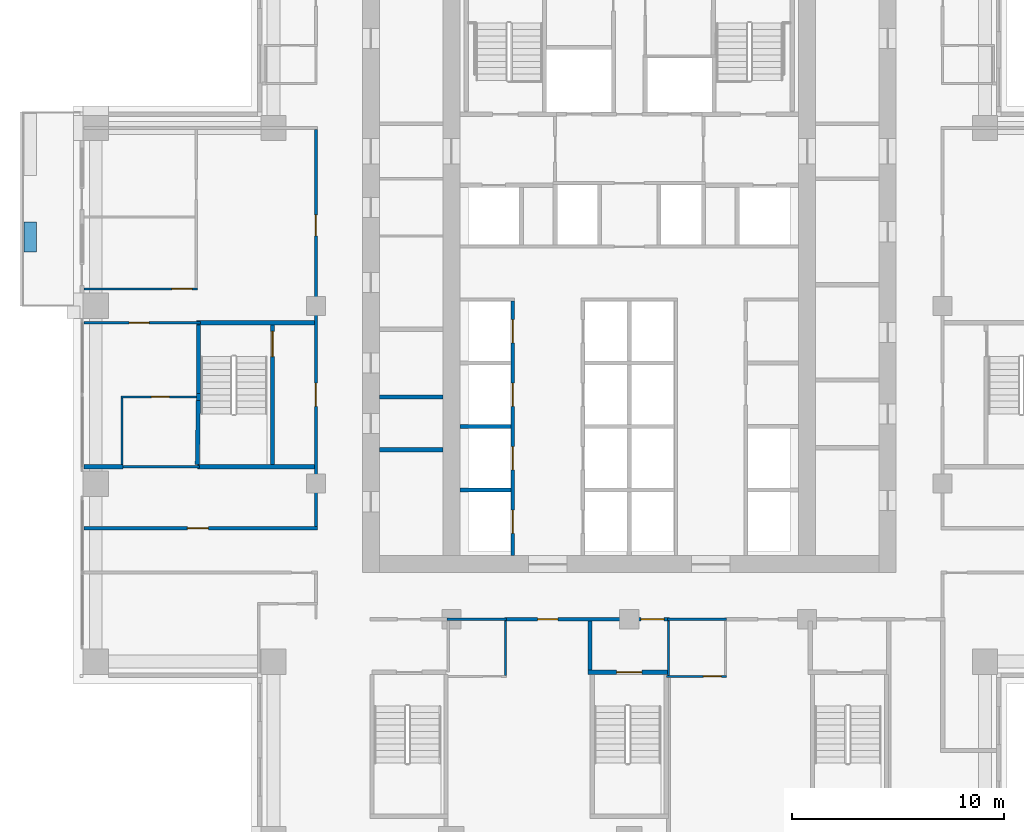
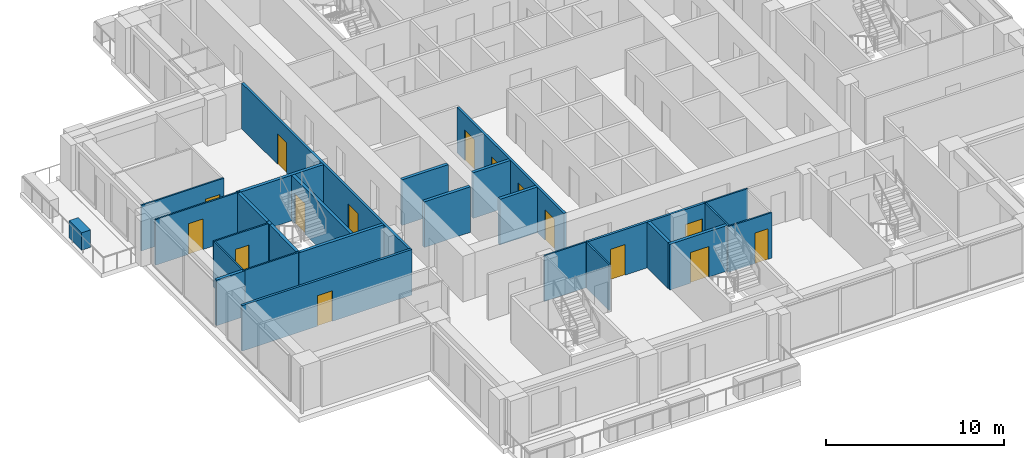
# One storey, part 7 of 16: 28 walls, 15 doors, 15 openings.
"""IFC4 building model written with IfcOpenShell, lengths in metres."""

from ifc_helpers import new_model, si_unit, direction, frame, frame_2d, origin, place, context, subcontext, project, spatial, rectangle, extrude, material, layer, layer_set, type_object, element, fill, save


model = new_model("IFC4")

# Units and contexts
model_context = context("Model", 3, precision=1e-05, world=origin(), true_north=direction((0.0, 1.0)))
body_context = subcontext(model_context, "Body", "Model", "MODEL_VIEW")
ifc_project = project(units=[si_unit("LENGTHUNIT", "METRE"), si_unit("AREAUNIT", "SQUARE_METRE"), si_unit("VOLUMEUNIT", "CUBIC_METRE"), si_unit("PLANEANGLEUNIT", "RADIAN"), si_unit("MASSUNIT", "GRAM", prefix="KILO")], contexts=[model_context])

# Site, building, storey
site_placement = place(None, origin())
site = spatial("IfcSite", under=ifc_project, at=site_placement, CompositionType="ELEMENT")
building_placement = place(site_placement, origin())
building = spatial("IfcBuilding", under=site, at=building_placement, Name="Vermilion Ogive Tower", CompositionType="ELEMENT")
storey_placement = place(building_placement, frame((0.0, 0.0, 114.89990234375)))
storey = spatial("IfcBuildingStorey", under=building, at=storey_placement, Name="L29", CompositionType="ELEMENT", Elevation=114.89990234375)

# Wall, opening, door
ifc_material_1 = material(Name="Gypsum board partition on steel studs", Category="steel")
ifc_layer_1 = layer(ifc_material_1, 0.10009765625)
ifc_layer_set_1 = layer_set([ifc_layer_1], Name="Partition 100 bath")
wall_type_1 = type_object("IfcWallType", Name="Partition 100 bath", PredefinedType="PARTITIONING", material=ifc_layer_set_1)
wall_1_placement = place(storey_placement, frame((1.75, -13.300048828125, 0.0), z_axis=(0.0, 0.0, 1.0), x_axis=(1.0, 0.0, 0.0)))
wall_1 = element("IfcWall", 1, at=wall_1_placement, inside=storey, type_object=wall_type_1, Name="L29-W-W005", PredefinedType="PARTITIONING", context=body_context, shape_type="SweptSolid", body=[
    extrude(rectangle(XDim=2.847900390625, YDim=0.10009765625, at=frame_2d((1.423828125, 0.0))), origin(), (0.0, 0.0, 1.0), 3.130126953125),
])
opening_1_placement = place(wall_1_placement, frame((1.75, 0.0, 0.0)))
opening_1 = element("IfcOpeningElement", 2, at=opening_1_placement, cuts=wall_1, Name="Opening D2G5013", PredefinedType="OPENING", context=body_context, shape_type="SweptSolid", body=[
    extrude(rectangle(XDim=0.85009765625, YDim=2.10009765625, at=frame_2d((0.425048828125, 1.050048828125))), frame((0.0, 0.06005859375, 0.0), z_axis=(0.0, -1.0, 0.0), x_axis=(1.0, 0.0, 0.0)), (0.0, 0.0, 1.0), 0.1201171875),
])
ifc_material_2 = material(Name="Timber door leaf", Category="wood")
door_type_1 = type_object("IfcDoorType", Name="Bath door 850 x 2100 FD30", OperationType="SINGLE_SWING_LEFT", PredefinedType="DOOR", material=ifc_material_2)
door_1_placement = place(opening_1_placement, origin())
door_1 = element("IfcDoor", 3, at=door_1_placement, inside=storey, type_object=door_type_1, Name="L29-D-D013", OperationType="SINGLE_SWING_RIGHT", OverallHeight=2.10009765625, OverallWidth=0.85009765625, PredefinedType="DOOR", context=body_context, shape_type="SweptSolid", body=[
    extrude(rectangle(XDim=0.85009765625, YDim=2.10009765625, at=frame_2d((0.425048828125, 1.050048828125))), frame((0.0, 0.02490234375, 0.0), z_axis=(0.0, -1.0, 0.0), x_axis=(1.0, 0.0, 0.0)), (0.0, 0.0, 1.0), 0.050048828125),
])
fill(opening_1, door_1)

# Walls
for number, where, z_axis, x_axis, name in (
    (4, (-8.60009765625, -10.60009765625, 0.0), (0.0, 0.0, 1.0), (1.0, 0.0, 0.0), "L29-W-W010"),
    (5, (1.800048828125, -10.60009765625, 0.0), (0.0, 0.0, 1.0), (1.0, 0.0, 0.0), "L29-W-W012"),
):
    element("IfcWall", number, at=place(storey_placement, frame(where, z_axis=z_axis, x_axis=x_axis)), inside=storey, type_object=wall_type_1, Name=name, PredefinedType="PARTITIONING", context=body_context, shape_type="SweptSolid", body=[
        extrude(rectangle(XDim=2.800048828125, YDim=0.10009765625, at=frame_2d((1.39990234375, 0.0))), origin(), (0.0, 0.0, 1.0), 3.130126953125),
    ])
wall_2_placement = place(storey_placement, frame((-24.0, -3.39990234375, 0.0), z_axis=(0.0, 0.0, 1.0), x_axis=(1.0, 0.0, 0.0)))
element("IfcWall", 6, at=wall_2_placement, inside=storey, type_object=wall_type_1, Name="L29-W-W020", PredefinedType="PARTITIONING", context=body_context, shape_type="SweptSolid", body=[
    extrude(rectangle(XDim=3.699951171875, YDim=0.10009765625, at=frame_2d((1.85009765625, 0.0))), origin(), (0.0, 0.0, 1.0), 3.130126953125),
])

# Wall, opening, door
wall_3_placement = place(storey_placement, frame((-24.0, -0.10009765625, 0.0), z_axis=(0.0, 0.0, 1.0), x_axis=(1.0, 0.0, 0.0)))
wall_3 = element("IfcWall", 7, at=wall_3_placement, inside=storey, type_object=wall_type_1, Name="L29-W-W026", PredefinedType="PARTITIONING", context=body_context, shape_type="SweptSolid", body=[
    extrude(rectangle(XDim=3.550048828125, YDim=0.10009765625, at=frame_2d((1.77490234375, 0.0))), origin(), (0.0, 0.0, 1.0), 3.130126953125),
])
opening_2_placement = place(wall_3_placement, frame((1.425048828125, 0.0, 0.0)))
opening_2 = element("IfcOpeningElement", 8, at=opening_2_placement, cuts=wall_3, Name="Opening D2G5007", PredefinedType="OPENING", context=body_context, shape_type="SweptSolid", body=[
    extrude(rectangle(XDim=0.85009765625, YDim=2.10009765625, at=frame_2d((0.425048828125, 1.050048828125))), frame((0.0, 0.06005859375, 0.0), z_axis=(0.0, -1.0, 0.0), x_axis=(1.0, 0.0, 0.0)), (0.0, 0.0, 1.0), 0.1201171875),
])
door_2_placement = place(opening_2_placement, origin())
door_2 = element("IfcDoor", 9, at=door_2_placement, inside=storey, type_object=door_type_1, Name="L29-D-D007", OperationType="SINGLE_SWING_RIGHT", OverallHeight=2.10009765625, OverallWidth=0.85009765625, PredefinedType="DOOR", context=body_context, shape_type="SweptSolid", body=[
    extrude(rectangle(XDim=0.85009765625, YDim=2.10009765625, at=frame_2d((0.425048828125, 1.050048828125))), frame((0.0, 0.02490234375, 0.0), z_axis=(0.0, -1.0, 0.0), x_axis=(1.0, 0.0, 0.0)), (0.0, 0.0, 1.0), 0.050048828125),
])
fill(opening_2, door_2)

# Walls
wall_4_placement = place(storey_placement, frame((-23.949951171875, -3.300048828125, 0.0), z_axis=(0.0, 0.0, 1.0), x_axis=(0.0, 1.0, 0.0)))
element("IfcWall", 10, at=wall_4_placement, inside=storey, type_object=wall_type_1, Name="L29-W-W043", PredefinedType="PARTITIONING", context=body_context, shape_type="SweptSolid", body=[
    extrude(rectangle(XDim=3.150146484375, YDim=0.10009765625, at=frame_2d((1.5751953125, 0.0))), origin(), (0.0, 0.0, 1.0), 3.130126953125),
])
wall_5_placement = place(storey_placement, frame((-5.85009765625, -13.248046875, 0.0), z_axis=(0.0, 0.0, 1.0), x_axis=(0.0, 1.0, 0.0)))
element("IfcWall", 11, at=wall_5_placement, inside=storey, type_object=wall_type_1, Name="L29-W-W056", PredefinedType="PARTITIONING", context=body_context, shape_type="SweptSolid", body=[
    extrude(rectangle(XDim=2.572998046875, YDim=0.10009765625, at=frame_2d((1.28662109375, 0.0))), origin(), (0.0, 0.0, 1.0), 3.130126953125),
])
wall_6_placement = place(storey_placement, frame((1.85009765625, -13.25, 0.0), z_axis=(0.0, 0.0, 1.0), x_axis=(0.0, 1.0, 0.0)))
element("IfcWall", 12, at=wall_6_placement, inside=storey, type_object=wall_type_1, Name="L29-W-W061", PredefinedType="PARTITIONING", context=body_context, shape_type="SweptSolid", body=[
    extrude(rectangle(XDim=2.574951171875, YDim=0.10009765625, at=frame_2d((1.28759765625, 0.0))), origin(), (0.0, 0.0, 1.0), 3.130126953125),
])

# Wall, opening, door
ifc_material_3 = material(Name="Gypsum board partition on steel studs", Category="steel")
ifc_layer_2 = layer(ifc_material_3, 0.10009765625)
ifc_layer_set_2 = layer_set([ifc_layer_2], Name="Partition 100 inner")
wall_type_2 = type_object("IfcWallType", Name="Partition 100 inner", PredefinedType="PARTITIONING", material=ifc_layer_set_2)
wall_7_placement = place(storey_placement, frame((-25.75, 3.39990234375, 0.0), z_axis=(0.0, 0.0, 1.0), x_axis=(1.0, 0.0, 0.0)))
wall_7 = element("IfcWall", 13, at=wall_7_placement, inside=storey, type_object=wall_type_2, Name="L29-W-W027", PredefinedType="PARTITIONING", context=body_context, shape_type="SweptSolid", body=[
    extrude(rectangle(XDim=5.5, YDim=0.10009765625, at=frame_2d((2.75, 0.0))), origin(), (0.0, 0.0, 1.0), 3.130126953125),
])
opening_3_placement = place(wall_7_placement, frame((2.125, 0.0, 0.0)))
opening_3 = element("IfcOpeningElement", 14, at=opening_3_placement, cuts=wall_7, Name="Opening D2G5006", PredefinedType="OPENING", context=body_context, shape_type="SweptSolid", body=[
    extrude(rectangle(XDim=0.949951171875, YDim=2.10009765625, at=frame_2d((0.47509765625, 1.050048828125))), frame((0.0, 0.06005859375, 0.0), z_axis=(0.0, -1.0, 0.0), x_axis=(1.0, 0.0, 0.0)), (0.0, 0.0, 1.0), 0.1201171875),
])
ifc_material_4 = material(Name="Timber door leaf", Category="wood")
door_type_2 = type_object("IfcDoorType", Name="Inner door 950 x 2100 FD30", OperationType="SINGLE_SWING_LEFT", PredefinedType="DOOR", material=ifc_material_4)
door_3_placement = place(opening_3_placement, origin())
door_3 = element("IfcDoor", 15, at=door_3_placement, inside=storey, type_object=door_type_2, Name="L29-D-D006", OperationType="SINGLE_SWING_LEFT", OverallHeight=2.10009765625, OverallWidth=0.949951171875, PredefinedType="DOOR", context=body_context, shape_type="SweptSolid", body=[
    extrude(rectangle(XDim=0.949951171875, YDim=2.10009765625, at=frame_2d((0.47509765625, 1.050048828125))), frame((0.0, 0.02490234375, 0.0), z_axis=(0.0, -1.0, 0.0), x_axis=(1.0, 0.0, 0.0)), (0.0, 0.0, 1.0), 0.050048828125),
])
fill(opening_3, door_3)

wall_8_placement = place(storey_placement, frame((-25.75, 5.0, 0.0), z_axis=(0.0, 0.0, 1.0), x_axis=(1.0, 0.0, 0.0)))
wall_8 = element("IfcWall", 16, at=wall_8_placement, inside=storey, type_object=wall_type_2, Name="L29-W-W031", PredefinedType="PARTITIONING", context=body_context, shape_type="SweptSolid", body=[
    extrude(rectangle(XDim=5.35009765625, YDim=0.10009765625, at=frame_2d((2.675048828125, 0.0))), origin(), (0.0, 0.0, 1.0), 3.130126953125),
])
opening_4_placement = place(wall_8_placement, frame((4.14990234375, 0.0, 0.0)))
opening_4 = element("IfcOpeningElement", 17, at=opening_4_placement, cuts=wall_8, Name="Opening D2G5003", PredefinedType="OPENING", context=body_context, shape_type="SweptSolid", body=[
    extrude(rectangle(XDim=0.949951171875, YDim=2.10009765625, at=frame_2d((0.47509765625, 1.050048828125))), frame((0.0, 0.06005859375, 0.0), z_axis=(0.0, -1.0, 0.0), x_axis=(1.0, 0.0, 0.0)), (0.0, 0.0, 1.0), 0.1201171875),
])
door_4_placement = place(opening_4_placement, origin())
door_4 = element("IfcDoor", 18, at=door_4_placement, inside=storey, type_object=door_type_2, Name="L29-D-D003", OperationType="SINGLE_SWING_LEFT", OverallHeight=2.10009765625, OverallWidth=0.949951171875, PredefinedType="DOOR", context=body_context, shape_type="SweptSolid", body=[
    extrude(rectangle(XDim=0.949951171875, YDim=2.10009765625, at=frame_2d((0.47509765625, 1.050048828125))), frame((0.0, 0.02490234375, 0.0), z_axis=(0.0, -1.0, 0.0), x_axis=(1.0, 0.0, 0.0)), (0.0, 0.0, 1.0), 0.050048828125),
])
fill(opening_4, door_4)

# Wall, openings, doors
ifc_material_5 = material(Name="Gypsum board partition on steel studs", Category="steel")
ifc_layer_3 = layer(ifc_material_5, 0.14990234375)
ifc_layer_set_3 = layer_set([ifc_layer_3], Name="Partition 150 corridor")
wall_type_3 = type_object("IfcWallType", Name="Partition 150 corridor", PredefinedType="PARTITIONING", material=ifc_layer_set_3)
wall_9_placement = place(storey_placement, frame((-5.89990234375, -10.60009765625, 0.0), z_axis=(0.0, 0.0, 1.0), x_axis=(1.0, 0.0, 0.0)))
wall_9 = element("IfcWall", 19, at=wall_9_placement, inside=storey, type_object=wall_type_3, Name="L29-W-W011", PredefinedType="PARTITIONING", context=body_context, shape_type="SweptSolid", body=[
    extrude(rectangle(XDim=7.7998046875, YDim=0.14990234375, at=frame_2d((3.89990234375, 0.0))), origin(), (0.0, 0.0, 1.0), 3.130126953125),
])
opening_5_placement = place(wall_9_placement, frame((1.574951171875, 0.0, 0.0)))
opening_5 = element("IfcOpeningElement", 20, at=opening_5_placement, cuts=wall_9, Name="Opening D2G5010", PredefinedType="OPENING", context=body_context, shape_type="SweptSolid", body=[
    extrude(rectangle(XDim=0.949951171875, YDim=2.10009765625, at=frame_2d((0.47509765625, 1.050048828125))), frame((0.0, 0.0849609375, 0.0), z_axis=(0.0, -1.0, 0.0), x_axis=(1.0, 0.0, 0.0)), (0.0, 0.0, 1.0), 0.169921875),
])
opening_6_placement = place(wall_9_placement, frame((6.449951171875, 0.0, 0.0)))
opening_6 = element("IfcOpeningElement", 21, at=opening_6_placement, cuts=wall_9, Name="Opening D2G5025", PredefinedType="OPENING", context=body_context, shape_type="SweptSolid", body=[
    extrude(rectangle(XDim=1.10009765625, YDim=2.10009765625, at=frame_2d((0.550048828125, 1.050048828125))), frame((0.0, 0.0849609375, 0.0), z_axis=(0.0, -1.0, 0.0), x_axis=(1.0, 0.0, 0.0)), (0.0, 0.0, 1.0), 0.169921875),
])
ifc_material_6 = material(Name="Timber door leaf", Category="wood")
door_type_3 = type_object("IfcDoorType", Name="Stair door 1100 x 2100 FD60S", OperationType="SINGLE_SWING_LEFT", PredefinedType="DOOR", material=ifc_material_6)
door_5_placement = place(opening_6_placement, origin())
door_5 = element("IfcDoor", 22, at=door_5_placement, inside=storey, type_object=door_type_3, Name="L29-D-D025", OperationType="SINGLE_SWING_LEFT", OverallHeight=2.10009765625, OverallWidth=1.10009765625, PredefinedType="DOOR", context=body_context, shape_type="SweptSolid", body=[
    extrude(rectangle(XDim=1.10009765625, YDim=2.10009765625, at=frame_2d((0.550048828125, 1.050048828125))), frame((0.0, 0.02490234375, 0.0), z_axis=(0.0, -1.0, 0.0), x_axis=(1.0, 0.0, 0.0)), (0.0, 0.0, 1.0), 0.050048828125),
])
fill(opening_6, door_5)
ifc_material_7 = material(Name="Timber door leaf", Category="wood")
door_type_4 = type_object("IfcDoorType", Name="Unit door 950 x 2100 FD30S", OperationType="SINGLE_SWING_LEFT", PredefinedType="DOOR", material=ifc_material_7)
door_6_placement = place(opening_5_placement, origin())
door_6 = element("IfcDoor", 23, at=door_6_placement, inside=storey, type_object=door_type_4, Name="L29-D-D010", OperationType="SINGLE_SWING_LEFT", OverallHeight=2.10009765625, OverallWidth=0.949951171875, PredefinedType="DOOR", context=body_context, shape_type="SweptSolid", body=[
    extrude(rectangle(XDim=0.949951171875, YDim=2.10009765625, at=frame_2d((0.47509765625, 1.050048828125))), frame((0.0, 0.02490234375, 0.0), z_axis=(0.0, -1.0, 0.0), x_axis=(1.0, 0.0, 0.0)), (0.0, 0.0, 1.0), 0.050048828125),
])
fill(opening_5, door_6)

# Wall, opening, door
wall_10_placement = place(storey_placement, frame((-25.75, -6.300048828125, 0.0), z_axis=(0.0, 0.0, 1.0), x_axis=(1.0, 0.0, 0.0)))
wall_10 = element("IfcWall", 24, at=wall_10_placement, inside=storey, type_object=wall_type_3, Name="L29-W-W017", PredefinedType="PARTITIONING", context=body_context, shape_type="SweptSolid", body=[
    extrude(rectangle(XDim=11.02490234375, YDim=0.14990234375, at=frame_2d((5.512451171875, 0.0))), origin(), (0.0, 0.0, 1.0), 3.130126953125),
])
opening_7_placement = place(wall_10_placement, frame((4.875, 0.0, 0.0)))
opening_7 = element("IfcOpeningElement", 25, at=opening_7_placement, cuts=wall_10, Name="Opening D2G5034", PredefinedType="OPENING", context=body_context, shape_type="SweptSolid", body=[
    extrude(rectangle(XDim=1.0, YDim=2.10009765625, at=frame_2d((0.5, 1.050048828125))), frame((0.0, 0.0849609375, 0.0), z_axis=(0.0, -1.0, 0.0), x_axis=(1.0, 0.0, 0.0)), (0.0, 0.0, 1.0), 0.169921875),
])
ifc_material_8 = material(Name="Timber door leaf", Category="wood")
door_type_5 = type_object("IfcDoorType", Name="Unit door 1000 x 2100 FD30S", OperationType="SINGLE_SWING_LEFT", PredefinedType="DOOR", material=ifc_material_8)
door_7_placement = place(opening_7_placement, origin())
door_7 = element("IfcDoor", 26, at=door_7_placement, inside=storey, type_object=door_type_5, Name="L29-D-D034", OperationType="SINGLE_SWING_RIGHT", OverallHeight=2.10009765625, OverallWidth=1.0, PredefinedType="DOOR", context=body_context, shape_type="SweptSolid", body=[
    extrude(rectangle(XDim=1.0, YDim=2.10009765625, at=frame_2d((0.5, 1.050048828125))), frame((0.0, 0.02490234375, 0.0), z_axis=(0.0, -1.0, 0.0), x_axis=(1.0, 0.0, 0.0)), (0.0, 0.0, 1.0), 0.050048828125),
])
fill(opening_7, door_7)

# Wall, openings, doors
wall_11_placement = place(storey_placement, frame((-14.800048828125, -6.22509765625, 0.0), z_axis=(0.0, 0.0, 1.0), x_axis=(0.0, 1.0, 0.0)))
wall_11 = element("IfcWall", 27, at=wall_11_placement, inside=storey, type_object=wall_type_3, Name="L29-W-W052", PredefinedType="PARTITIONING", context=body_context, shape_type="SweptSolid", body=[
    extrude(rectangle(XDim=18.75, YDim=0.14990234375, at=frame_2d((9.375, 0.0))), origin(), (0.0, 0.0, 1.0), 3.130126953125),
])
opening_8_placement = place(wall_11_placement, frame((13.72509765625, 0.0, 0.0)))
opening_8 = element("IfcOpeningElement", 28, at=opening_8_placement, cuts=wall_11, Name="Opening D2G5005", PredefinedType="OPENING", context=body_context, shape_type="SweptSolid", body=[
    extrude(rectangle(XDim=1.0, YDim=2.10009765625, at=frame_2d((0.5, 1.050048828125))), frame((0.0, 0.0849609375, 0.0), z_axis=(0.0, -1.0, 0.0), x_axis=(1.0, 0.0, 0.0)), (0.0, 0.0, 1.0), 0.169921875),
])
opening_9_placement = place(wall_11_placement, frame((5.675048828125, 0.0, 0.0)))
opening_9 = element("IfcOpeningElement", 29, at=opening_9_placement, cuts=wall_11, Name="Opening D2G5031", PredefinedType="OPENING", context=body_context, shape_type="SweptSolid", body=[
    extrude(rectangle(XDim=1.10009765625, YDim=2.10009765625, at=frame_2d((0.550048828125, 1.050048828125))), frame((0.0, 0.0849609375, 0.0), z_axis=(0.0, -1.0, 0.0), x_axis=(1.0, 0.0, 0.0)), (0.0, 0.0, 1.0), 0.169921875),
])
door_8_placement = place(opening_9_placement, origin())
door_8 = element("IfcDoor", 30, at=door_8_placement, inside=storey, type_object=door_type_3, Name="L29-D-D031", OperationType="SINGLE_SWING_RIGHT", OverallHeight=2.10009765625, OverallWidth=1.10009765625, PredefinedType="DOOR", context=body_context, shape_type="SweptSolid", body=[
    extrude(rectangle(XDim=1.10009765625, YDim=2.10009765625, at=frame_2d((0.550048828125, 1.050048828125))), frame((0.0, 0.02490234375, 0.0), z_axis=(0.0, -1.0, 0.0), x_axis=(1.0, 0.0, 0.0)), (0.0, 0.0, 1.0), 0.050048828125),
])
fill(opening_9, door_8)
door_9_placement = place(opening_8_placement, origin())
door_9 = element("IfcDoor", 31, at=door_9_placement, inside=storey, type_object=door_type_5, Name="L29-D-D005", OperationType="SINGLE_SWING_LEFT", OverallHeight=2.10009765625, OverallWidth=1.0, PredefinedType="DOOR", context=body_context, shape_type="SweptSolid", body=[
    extrude(rectangle(XDim=1.0, YDim=2.10009765625, at=frame_2d((0.5, 1.050048828125))), frame((0.0, 0.02490234375, 0.0), z_axis=(0.0, -1.0, 0.0), x_axis=(1.0, 0.0, 0.0)), (0.0, 0.0, 1.0), 0.050048828125),
])
fill(opening_8, door_9)

wall_12_placement = place(storey_placement, frame((-5.5, -7.59912109375, 0.0), z_axis=(0.0, 0.0, 1.0), x_axis=(0.0, 1.0, 0.0)))
wall_12 = element("IfcWall", 32, at=wall_12_placement, inside=storey, type_object=wall_type_3, Name="L29-CK-W-W022", PredefinedType="PARTITIONING", context=body_context, shape_type="SweptSolid", body=[
    extrude(rectangle(XDim=12.024169921875, YDim=0.14990234375, at=frame_2d((6.01220703125, 0.0))), origin(), (0.0, 0.0, 1.0), 3.130126953125),
])
opening_10_placement = place(wall_12_placement, frame((1.049072265625, 0.0, 0.0)))
opening_10 = element("IfcOpeningElement", 33, at=opening_10_placement, cuts=wall_12, Name="Opening DAA241", PredefinedType="OPENING", context=body_context, shape_type="SweptSolid", body=[
    extrude(rectangle(XDim=1.10009765625, YDim=2.10009765625, at=frame_2d((0.550048828125, 1.050048828125))), frame((0.0, 0.0849609375, 0.0), z_axis=(0.0, -1.0, 0.0), x_axis=(1.0, 0.0, 0.0)), (0.0, 0.0, 1.0), 0.169921875),
])
opening_11_placement = place(wall_12_placement, frame((4.049072265625, 0.0, 0.0)))
opening_11 = element("IfcOpeningElement", 34, at=opening_11_placement, cuts=wall_12, Name="Opening DAA244", PredefinedType="OPENING", context=body_context, shape_type="SweptSolid", body=[
    extrude(rectangle(XDim=1.10009765625, YDim=2.10009765625, at=frame_2d((0.550048828125, 1.050048828125))), frame((0.0, 0.0849609375, 0.0), z_axis=(0.0, -1.0, 0.0), x_axis=(1.0, 0.0, 0.0)), (0.0, 0.0, 1.0), 0.169921875),
])
opening_12_placement = place(wall_12_placement, frame((7.049072265625, 0.0, 0.0)))
opening_12 = element("IfcOpeningElement", 35, at=opening_12_placement, cuts=wall_12, Name="Opening DAA245", PredefinedType="OPENING", context=body_context, shape_type="SweptSolid", body=[
    extrude(rectangle(XDim=1.10009765625, YDim=2.10009765625, at=frame_2d((0.550048828125, 1.050048828125))), frame((0.0, 0.0849609375, 0.0), z_axis=(0.0, -1.0, 0.0), x_axis=(1.0, 0.0, 0.0)), (0.0, 0.0, 1.0), 0.169921875),
])
opening_13_placement = place(wall_12_placement, frame((10.049072265625, 0.0, 0.0)))
opening_13 = element("IfcOpeningElement", 36, at=opening_13_placement, cuts=wall_12, Name="Opening DAA246", PredefinedType="OPENING", context=body_context, shape_type="SweptSolid", body=[
    extrude(rectangle(XDim=1.10009765625, YDim=2.10009765625, at=frame_2d((0.550048828125, 1.050048828125))), frame((0.0, 0.0849609375, 0.0), z_axis=(0.0, -1.0, 0.0), x_axis=(1.0, 0.0, 0.0)), (0.0, 0.0, 1.0), 0.169921875),
])
ifc_material_9 = material(Name="Stainless steel", Category="steel")
door_type_6 = type_object("IfcDoorType", Name="Lift landing door 1100 x 2100", OperationType="SLIDING_TO_LEFT", PredefinedType="DOOR", material=ifc_material_9)
door_10_placement = place(opening_10_placement, origin())
door_10 = element("IfcDoor", 37, at=door_10_placement, inside=storey, type_object=door_type_6, Name="L29-CK-D-D001", OperationType="SLIDING_TO_LEFT", OverallHeight=2.10009765625, OverallWidth=1.10009765625, PredefinedType="DOOR", context=body_context, shape_type="SweptSolid", body=[
    extrude(rectangle(XDim=1.10009765625, YDim=2.10009765625, at=frame_2d((0.550048828125, 1.050048828125))), frame((0.0, 0.02490234375, 0.0), z_axis=(0.0, -1.0, 0.0), x_axis=(1.0, 0.0, 0.0)), (0.0, 0.0, 1.0), 0.050048828125),
])
fill(opening_10, door_10)
door_11_placement = place(opening_11_placement, origin())
door_11 = element("IfcDoor", 38, at=door_11_placement, inside=storey, type_object=door_type_6, Name="L29-CK-D-D002", OperationType="SLIDING_TO_LEFT", OverallHeight=2.10009765625, OverallWidth=1.10009765625, PredefinedType="DOOR", context=body_context, shape_type="SweptSolid", body=[
    extrude(rectangle(XDim=1.10009765625, YDim=2.10009765625, at=frame_2d((0.550048828125, 1.050048828125))), frame((0.0, 0.02490234375, 0.0), z_axis=(0.0, -1.0, 0.0), x_axis=(1.0, 0.0, 0.0)), (0.0, 0.0, 1.0), 0.050048828125),
])
fill(opening_11, door_11)
door_12_placement = place(opening_12_placement, origin())
door_12 = element("IfcDoor", 39, at=door_12_placement, inside=storey, type_object=door_type_6, Name="L29-CK-D-D003", OperationType="SLIDING_TO_LEFT", OverallHeight=2.10009765625, OverallWidth=1.10009765625, PredefinedType="DOOR", context=body_context, shape_type="SweptSolid", body=[
    extrude(rectangle(XDim=1.10009765625, YDim=2.10009765625, at=frame_2d((0.550048828125, 1.050048828125))), frame((0.0, 0.02490234375, 0.0), z_axis=(0.0, -1.0, 0.0), x_axis=(1.0, 0.0, 0.0)), (0.0, 0.0, 1.0), 0.050048828125),
])
fill(opening_12, door_12)
door_13_placement = place(opening_13_placement, origin())
door_13 = element("IfcDoor", 40, at=door_13_placement, inside=storey, type_object=door_type_6, Name="L29-CK-D-D004", OperationType="SLIDING_TO_LEFT", OverallHeight=2.10009765625, OverallWidth=1.10009765625, PredefinedType="DOOR", context=body_context, shape_type="SweptSolid", body=[
    extrude(rectangle(XDim=1.10009765625, YDim=2.10009765625, at=frame_2d((0.550048828125, 1.050048828125))), frame((0.0, 0.02490234375, 0.0), z_axis=(0.0, -1.0, 0.0), x_axis=(1.0, 0.0, 0.0)), (0.0, 0.0, 1.0), 0.050048828125),
])
fill(opening_13, door_13)

# Walls
ifc_material_10 = material(Name="Gypsum board partition on steel studs", Category="steel")
ifc_layer_4 = layer(ifc_material_10, 0.199951171875)
ifc_layer_set_4 = layer_set([ifc_layer_4], Name="Partition 200 party")
wall_type_4 = type_object("IfcWallType", Name="Partition 200 party", PredefinedType="PARTITIONING", material=ifc_layer_set_4)
wall_13_placement = place(storey_placement, frame((-25.75, -3.39990234375, 0.0), z_axis=(0.0, 0.0, 1.0), x_axis=(1.0, 0.0, 0.0)))
element("IfcWall", 41, at=wall_13_placement, inside=storey, type_object=wall_type_4, Name="L29-W-W019", PredefinedType="PARTITIONING", context=body_context, shape_type="SweptSolid", body=[
    extrude(rectangle(XDim=1.85009765625, YDim=0.199951171875, at=frame_2d((0.925048828125, 0.0))), origin(), (0.0, 0.0, 1.0), 3.130126953125),
])
wall_14_placement = place(storey_placement, frame((-1.85009765625, -12.998046875, 0.0), z_axis=(0.0, 0.0, 1.0), x_axis=(0.0, 1.0, 0.0)))
element("IfcWall", 42, at=wall_14_placement, inside=storey, type_object=wall_type_4, Name="L29-W-W057", PredefinedType="PARTITIONING", context=body_context, shape_type="SweptSolid", body=[
    extrude(rectangle(XDim=2.322998046875, YDim=0.199951171875, at=frame_2d((1.16162109375, 0.0))), origin(), (0.0, 0.0, 1.0), 3.130126953125),
])
for number, where, z_axis, x_axis, name in (
    (43, (-7.9990234375, -4.5, 0.0), (0.0, 0.0, 1.0), (1.0, 0.0, 0.0), "L29-CK-W-W001"),
    (44, (-7.9990234375, -1.5, 0.0), (0.0, 0.0, 1.0), (1.0, 0.0, 0.0), "L29-CK-W-W004"),
):
    element("IfcWall", number, at=place(storey_placement, frame(where, z_axis=z_axis, x_axis=x_axis)), inside=storey, type_object=wall_type_4, Name=name, PredefinedType="PARTITIONING", context=body_context, shape_type="SweptSolid", body=[
        extrude(rectangle(XDim=2.424072265625, YDim=0.199951171875, at=frame_2d((1.2119140625, 0.0))), origin(), (0.0, 0.0, 1.0), 3.130126953125),
    ])
for number, where, z_axis, x_axis, name in (
    (45, (-11.799072265625, -2.60009765625, 0.0), (0.0, 0.0, 1.0), (1.0, 0.0, 0.0), "L29-CKW-W-W001"),
    (46, (-11.799072265625, -0.10009765625, 0.0), (0.0, 0.0, 1.0), (1.0, 0.0, 0.0), "L29-CKW-W-W002"),
):
    element("IfcWall", number, at=place(storey_placement, frame(where, z_axis=z_axis, x_axis=x_axis)), inside=storey, type_object=wall_type_4, Name=name, PredefinedType="PARTITIONING", context=body_context, shape_type="SweptSolid", body=[
        extrude(rectangle(XDim=2.998046875, YDim=0.199951171875, at=frame_2d((1.4990234375, 0.0))), origin(), (0.0, 0.0, 1.0), 3.130126953125),
    ])

# Wall, opening, door
ifc_material_11 = material(Name="Concrete B60", Category="concrete")
ifc_layer_5 = layer(ifc_material_11, 0.199951171875)
ifc_layer_set_5 = layer_set([ifc_layer_5], Name="Stair shaft wall 200 Concrete B60")
wall_type_5 = type_object("IfcWallType", Name="Stair shaft wall 200 Concrete B60", PredefinedType="SOLIDWALL", material=ifc_layer_set_5)
wall_15_placement = place(storey_placement, frame((-1.947998046875, -13.10009765625, 0.0), z_axis=(0.0, 0.0, 1.0), x_axis=(1.0, 0.0, 0.0)))
wall_15 = element("IfcWall", 47, at=wall_15_placement, inside=storey, type_object=wall_type_5, Name="L29-W-W007", PredefinedType="SOLIDWALL", context=body_context, shape_type="SweptSolid", body=[
    extrude(rectangle(XDim=3.74609375, YDim=0.199951171875, at=frame_2d((1.873046875, 0.0))), origin(), (0.0, 0.0, 1.0), 3.130126953125),
])
opening_14_placement = place(wall_15_placement, frame((1.347900390625, 0.0, 0.0)))
opening_14 = element("IfcOpeningElement", 48, at=opening_14_placement, cuts=wall_15, Name="Opening D2G5026", PredefinedType="OPENING", context=body_context, shape_type="SweptSolid", body=[
    extrude(rectangle(XDim=1.199951171875, YDim=2.10009765625, at=frame_2d((0.60009765625, 1.050048828125))), frame((0.0, 0.10986328125, 0.0), z_axis=(0.0, -1.0, 0.0), x_axis=(1.0, 0.0, 0.0)), (0.0, 0.0, 1.0), 0.219970703125),
])
ifc_material_12 = material(Name="Timber door leaf", Category="wood")
door_type_7 = type_object("IfcDoorType", Name="Stair door 1200 x 2100 FD60S", OperationType="SINGLE_SWING_LEFT", PredefinedType="DOOR", material=ifc_material_12)
door_14_placement = place(opening_14_placement, origin())
door_14 = element("IfcDoor", 49, at=door_14_placement, inside=storey, type_object=door_type_7, Name="L29-D-D026", OperationType="SINGLE_SWING_RIGHT", OverallHeight=2.10009765625, OverallWidth=1.199951171875, PredefinedType="DOOR", context=body_context, shape_type="SweptSolid", body=[
    extrude(rectangle(XDim=1.199951171875, YDim=2.10009765625, at=frame_2d((0.60009765625, 1.050048828125))), frame((0.0, 0.02490234375, 0.0), z_axis=(0.0, -1.0, 0.0), x_axis=(1.0, 0.0, 0.0)), (0.0, 0.0, 1.0), 0.050048828125),
])
fill(opening_14, door_14)

# Walls
wall_16_placement = place(storey_placement, frame((-20.39990234375, -3.39990234375, 0.0), z_axis=(0.0, 0.0, 1.0), x_axis=(1.0, 0.0, 0.0)))
element("IfcWall", 50, at=wall_16_placement, inside=storey, type_object=wall_type_5, Name="L29-W-W021", PredefinedType="SOLIDWALL", context=body_context, shape_type="SweptSolid", body=[
    extrude(rectangle(XDim=5.52490234375, YDim=0.199951171875, at=frame_2d((2.762451171875, 0.0))), origin(), (0.0, 0.0, 1.0), 3.130126953125),
])
wall_17_placement = place(storey_placement, frame((-20.449951171875, 3.39990234375, 0.0), z_axis=(0.0, 0.0, 1.0), x_axis=(1.0, 0.0, 0.0)))
element("IfcWall", 51, at=wall_17_placement, inside=storey, type_object=wall_type_5, Name="L29-W-W028", PredefinedType="SOLIDWALL", context=body_context, shape_type="SweptSolid", body=[
    extrude(rectangle(XDim=5.574951171875, YDim=0.199951171875, at=frame_2d((2.78759765625, 0.0))), origin(), (0.0, 0.0, 1.0), 3.130126953125),
])
wall_18_placement = place(storey_placement, frame((-20.400146484375, -3.300048828125, 0.0), z_axis=(0.0, 0.0, 1.0), x_axis=(0.016112644959, 0.99987018291, 0.0)))
element("IfcWall", 52, at=wall_18_placement, inside=storey, type_object=wall_type_5, Name="L29-W-W045", PredefinedType="SOLIDWALL", context=body_context, shape_type="SweptSolid", body=[
    extrude(rectangle(XDim=3.030517578125, YDim=0.199951171875, at=frame_2d((1.51513671875, 0.0))), origin(), (0.0, 0.0, 1.0), 3.130126953125),
])
wall_19_placement = place(storey_placement, frame((-20.35009765625, 0.070068359375, 0.0), z_axis=(0.0, 0.0, 1.0), x_axis=(0.0, 1.0, 0.0)))
element("IfcWall", 53, at=wall_19_placement, inside=storey, type_object=wall_type_5, Name="L29-W-W046", PredefinedType="SOLIDWALL", context=body_context, shape_type="SweptSolid", body=[
    extrude(rectangle(XDim=3.22998046875, YDim=0.199951171875, at=frame_2d((1.614990234375, 0.0))), origin(), (0.0, 0.0, 1.0), 3.130126953125),
])

# Wall, opening, door
wall_20_placement = place(storey_placement, frame((-16.85009765625, -3.300048828125, 0.0), z_axis=(0.0, 0.0, 1.0), x_axis=(0.0, 1.0, 0.0)))
wall_20 = element("IfcWall", 54, at=wall_20_placement, inside=storey, type_object=wall_type_5, Name="L29-W-W049", PredefinedType="SOLIDWALL", context=body_context, shape_type="SweptSolid", body=[
    extrude(rectangle(XDim=6.60009765625, YDim=0.199951171875, at=frame_2d((3.300048828125, 0.0))), origin(), (0.0, 0.0, 1.0), 3.130126953125),
])
opening_15_placement = place(wall_20_placement, frame((5.10009765625, 0.0, 0.0)))
opening_15 = element("IfcOpeningElement", 55, at=opening_15_placement, cuts=wall_20, Name="Opening D2G5032", PredefinedType="OPENING", context=body_context, shape_type="SweptSolid", body=[
    extrude(rectangle(XDim=1.199951171875, YDim=2.10009765625, at=frame_2d((0.60009765625, 1.050048828125))), frame((0.0, 0.10986328125, 0.0), z_axis=(0.0, -1.0, 0.0), x_axis=(1.0, 0.0, 0.0)), (0.0, 0.0, 1.0), 0.219970703125),
])
door_15_placement = place(opening_15_placement, origin())
door_15 = element("IfcDoor", 56, at=door_15_placement, inside=storey, type_object=door_type_7, Name="L29-D-D032", OperationType="SINGLE_SWING_RIGHT", OverallHeight=2.10009765625, OverallWidth=1.199951171875, PredefinedType="DOOR", context=body_context, shape_type="SweptSolid", body=[
    extrude(rectangle(XDim=1.199951171875, YDim=2.10009765625, at=frame_2d((0.60009765625, 1.050048828125))), frame((0.0, 0.02490234375, 0.0), z_axis=(0.0, -1.0, 0.0), x_axis=(1.0, 0.0, 0.0)), (0.0, 0.0, 1.0), 0.050048828125),
])
fill(opening_15, door_15)

# Walls
wall_21_placement = place(storey_placement, frame((-20.35009765625, -0.27001953125, 0.0), z_axis=(0.0, 0.0, 1.0), x_axis=(0.0, 1.0, 0.0)))
element("IfcWall", 57, at=wall_21_placement, inside=storey, type_object=wall_type_5, Name="L29-SW-ST9-W1", PredefinedType="SOLIDWALL", context=body_context, shape_type="SweptSolid", body=[
    extrude(rectangle(XDim=0.340087890625, YDim=0.199951171875, at=frame_2d((0.169921875, 0.0))), origin(), (0.0, 0.0, 1.0), 3.130126953125),
])
ifc_material_13 = material(Name="Concrete B40", Category="concrete")
ifc_layer_6 = layer(ifc_material_13, 0.60009765625)
ifc_layer_set_6 = layer_set([ifc_layer_6], Name="Structural planter")
wall_type_6 = type_object("IfcWallType", Name="Structural planter", PredefinedType="USERDEFINED", material=ifc_layer_set_6)
wall_22_placement = place(storey_placement, frame((-28.2939453125, 8.14990234375, -0.039794921875), z_axis=(0.0, 0.0, 1.0), x_axis=(0.0, -1.0, 0.0)))
element("IfcWall", 58, at=wall_22_placement, inside=storey, type_object=wall_type_6, Name="Planter W01A2", ObjectType="PLANTER", PredefinedType="USERDEFINED", context=body_context, shape_type="SweptSolid", body=[
    extrude(rectangle(XDim=1.39990234375, YDim=0.60009765625, at=frame_2d((0.699951171875, 0.0))), origin(), (0.0, 0.0, 1.0), 1.199951171875),
])

save(model, "model.ifc")
